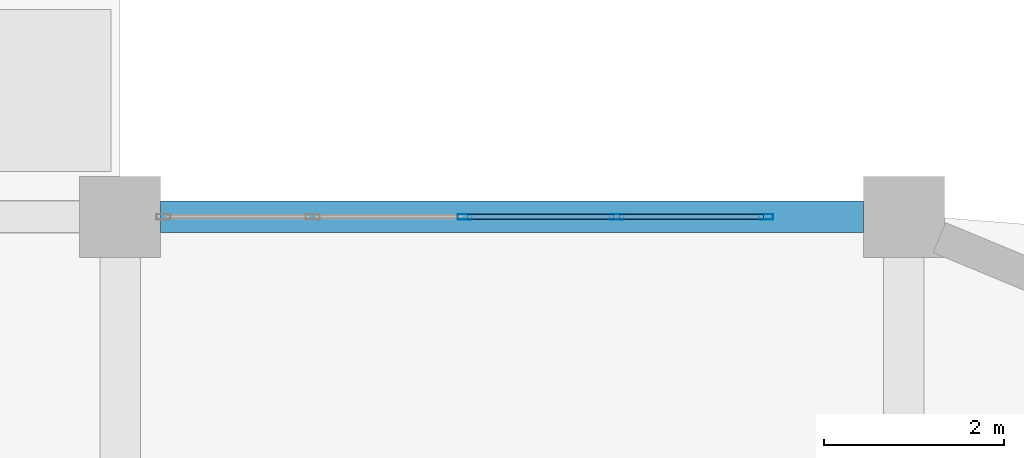
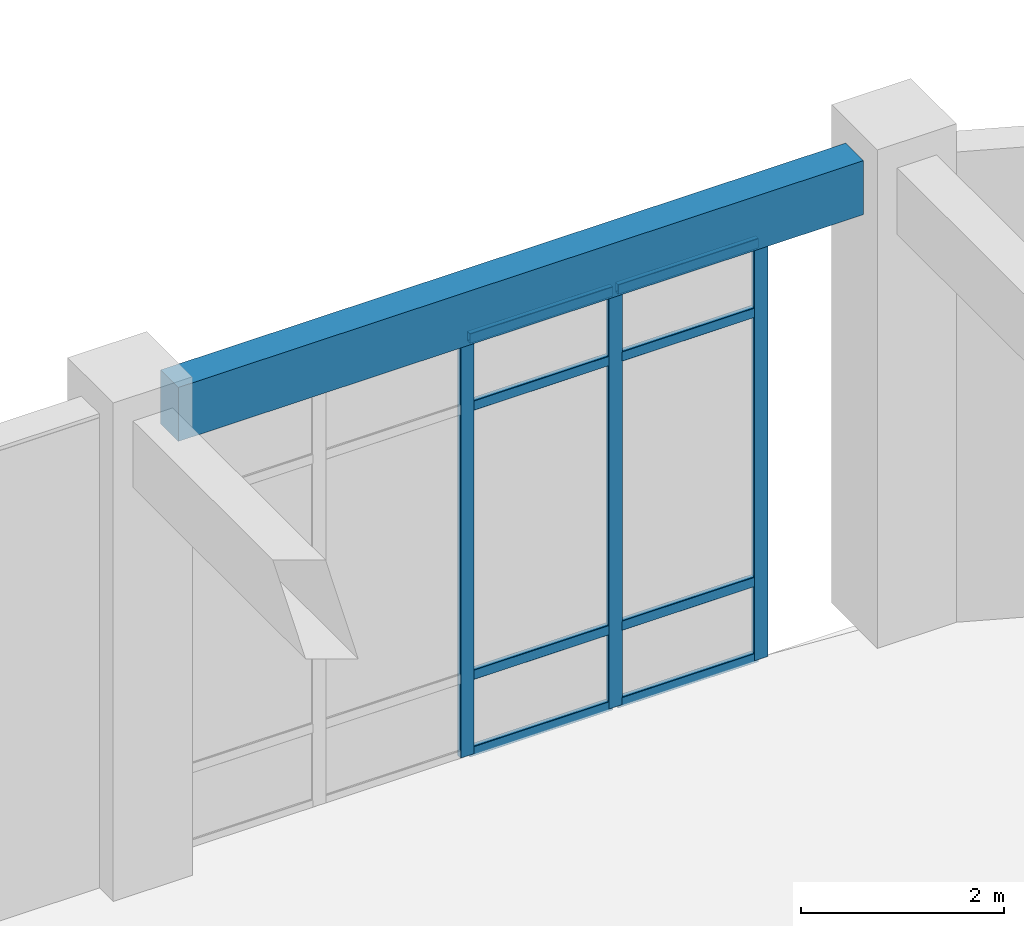
# One storey, part 41 of 82: 11 members, 1 beam, 1 element without a shape of its own.
"""IFC4 building model written with IfcOpenShell, lengths in metres."""

from ifc_helpers import new_model, si_unit, derived_unit, direction, frame, origin, origin_2d, place, context, subcontext, project, spatial, rectangle, hollow_rectangle, extrude, material, layer, layer_set, material_profile, profile_set, type_object, element, aggregate, save


model = new_model("IFC4")

# Units and contexts
model_context = context("Model", 3, precision=1e-05, world=origin(), true_north=direction((0.0, 1.0)))
body_context = subcontext(model_context, "Body", "Model", "MODEL_VIEW")
ifc_project = project(units=[si_unit("LENGTHUNIT", "METRE"), si_unit("AREAUNIT", "SQUARE_METRE"), si_unit("VOLUMEUNIT", "CUBIC_METRE"), si_unit("PLANEANGLEUNIT", "RADIAN"), si_unit("MASSUNIT", "GRAM", prefix="KILO"), derived_unit("THERMALTRANSMITTANCEUNIT", [(si_unit("MASSUNIT", "GRAM", prefix="KILO"), 1), (si_unit("TIMEUNIT", "SECOND"), -3), (si_unit("THERMODYNAMICTEMPERATUREUNIT", "KELVIN"), -1)])], contexts=[model_context])

# Site, building, storey
site_placement = place(None, origin())
site = spatial("IfcSite", under=ifc_project, at=site_placement, CompositionType="ELEMENT")
building_placement = place(site_placement, origin())
building = spatial("IfcBuilding", under=site, at=building_placement, Name="Qinzheling Arcade Emporium", CompositionType="ELEMENT")
storey_placement = place(building_placement, origin())
storey = spatial("IfcBuildingStorey", under=building, at=storey_placement, Name="L01", CompositionType="ELEMENT", Elevation=0.0)

# Curtain wall, members
ifc_material_1 = material(Name="Anodised aluminium and solar-control double glazing", Category="aluminium")
ifc_layer = layer(ifc_material_1, 0.159912109375, Name="Anodised aluminium and solar-control double glazing", Category="aluminium")
ifc_layer_set = layer_set([ifc_layer], Name="Anodised aluminium and solar-control double glazing")
curtain_wall_type = type_object("IfcCurtainWallType", Name="Food Hall Loggia Curtain Wall", PredefinedType="NOTDEFINED", material=ifc_layer_set)
curtain_wall_placement = place(storey_placement, origin())
curtain_wall = element("IfcCurtainWall", 1, at=curtain_wall_placement, inside=storey, type_object=curtain_wall_type, Name="Curtain Wall CW-L01-048", PredefinedType="NOTDEFINED")
ifc_material_2 = material(Name="Anodised aluminium 6063-T6", Category="aluminium")
ifc_material_profile_1 = material_profile(ifc_material_2, hollow_rectangle(XDim=0.06005859375, YDim=0.159912109375, WallThickness=0.00390625, InnerFilletRadius=0.00390625, OuterFilletRadius=0.008056640625, at=origin_2d()), Name="RHS 160x60x4", Category="aluminium")
ifc_profile_set_1 = profile_set([ifc_material_profile_1], Name="Anodised aluminium 6063-T6")
member_type_1 = type_object("IfcMemberType", Name="Curtain Wall Mullion RHS160x60", PredefinedType="MULLION", material=ifc_profile_set_1)
member_1_placement = place(storey_placement, frame((160.426025390625, 33.60009765625, 0.0), z_axis=(0.0, 0.0, 1.0), x_axis=(0.0, 1.0, 0.0)))
member_1 = element("IfcMember", 2, at=member_1_placement, type_object=member_type_1, Name="CW04 mullion 3", PredefinedType="MULLION", context=body_context, shape_type="SweptSolid", body=[
    extrude(hollow_rectangle(XDim=0.06005859375, YDim=0.159912109375, WallThickness=0.00390625, InnerFilletRadius=0.00390625, OuterFilletRadius=0.008056640625, at=origin_2d()), origin(), (0.0, 0.0, 1.0), 5.0400390625),
])
member_2_placement = place(storey_placement, frame((162.113037109375, 33.60009765625, 0.0), z_axis=(0.0, 0.0, 1.0), x_axis=(0.0, 1.0, 0.0)))
member_2 = element("IfcMember", 3, at=member_2_placement, type_object=member_type_1, Name="CW04 mullion 4", PredefinedType="MULLION", context=body_context, shape_type="SweptSolid", body=[
    extrude(hollow_rectangle(XDim=0.06005859375, YDim=0.159912109375, WallThickness=0.00390625, InnerFilletRadius=0.00390625, OuterFilletRadius=0.008056640625, at=origin_2d()), origin(), (0.0, 0.0, 1.0), 5.0400390625),
])
member_3_placement = place(storey_placement, frame((163.77001953125, 33.60009765625, 0.0), z_axis=(0.0, 0.0, 1.0), x_axis=(0.0, 1.0, 0.0)))
member_3 = element("IfcMember", 4, at=member_3_placement, type_object=member_type_1, Name="CW04 mullion 5", PredefinedType="MULLION", context=body_context, shape_type="SweptSolid", body=[
    extrude(hollow_rectangle(XDim=0.06005859375, YDim=0.159912109375, WallThickness=0.00390625, InnerFilletRadius=0.00390625, OuterFilletRadius=0.008056640625, at=origin_2d()), origin(), (0.0, 0.0, 1.0), 5.0400390625),
])
ifc_material_profile_2 = material_profile(ifc_material_2, hollow_rectangle(XDim=0.06005859375, YDim=0.1201171875, WallThickness=0.00390625, InnerFilletRadius=0.00390625, OuterFilletRadius=0.008056640625, at=origin_2d()), Name="RHS 120x60x4", Category="aluminium")
ifc_profile_set_2 = profile_set([ifc_material_profile_2], Name="Anodised aluminium 6063-T6")
member_type_2 = type_object("IfcMemberType", Name="Curtain Wall Transom RHS120x60", PredefinedType="USERDEFINED", material=ifc_profile_set_2)
member_4_placement = place(storey_placement, frame((160.4560546875, 33.60009765625, 0.030029296875), z_axis=(1.0, 0.0, 0.0), x_axis=(0.0, 1.0, 0.0)))
member_4 = element("IfcMember", 5, at=member_4_placement, type_object=member_type_2, Name="CW04 transom 3.1", ObjectType="TRANSOM", PredefinedType="USERDEFINED", context=body_context, shape_type="SweptSolid", body=[
    extrude(hollow_rectangle(XDim=0.06005859375, YDim=0.1201171875, WallThickness=0.00390625, InnerFilletRadius=0.00390625, OuterFilletRadius=0.008056640625, at=origin_2d()), origin(), (0.0, 0.0, 1.0), 1.626953125),
])
member_5_placement = place(storey_placement, frame((160.4560546875, 33.60009765625, 0.949951171875), z_axis=(1.0, 0.0, 0.0), x_axis=(0.0, 1.0, 0.0)))
member_5 = element("IfcMember", 6, at=member_5_placement, type_object=member_type_2, Name="CW04 transom 3.2", ObjectType="TRANSOM", PredefinedType="USERDEFINED", context=body_context, shape_type="SweptSolid", body=[
    extrude(hollow_rectangle(XDim=0.06005859375, YDim=0.1201171875, WallThickness=0.00390625, InnerFilletRadius=0.00390625, OuterFilletRadius=0.008056640625, at=origin_2d()), origin(), (0.0, 0.0, 1.0), 1.626953125),
])
member_6_placement = place(storey_placement, frame((160.4560546875, 33.60009765625, 4.18994140625), z_axis=(1.0, 0.0, 0.0), x_axis=(0.0, 1.0, 0.0)))
member_6 = element("IfcMember", 7, at=member_6_placement, type_object=member_type_2, Name="CW04 transom 3.3", ObjectType="TRANSOM", PredefinedType="USERDEFINED", context=body_context, shape_type="SweptSolid", body=[
    extrude(hollow_rectangle(XDim=0.06005859375, YDim=0.1201171875, WallThickness=0.00390625, InnerFilletRadius=0.00390625, OuterFilletRadius=0.008056640625, at=origin_2d()), origin(), (0.0, 0.0, 1.0), 1.626953125),
])
member_7_placement = place(storey_placement, frame((160.4560546875, 33.60009765625, 5.010009765625), z_axis=(1.0, 0.0, 0.0), x_axis=(0.0, 1.0, 0.0)))
member_7 = element("IfcMember", 8, at=member_7_placement, type_object=member_type_2, Name="CW04 transom 3.4", ObjectType="TRANSOM", PredefinedType="USERDEFINED", context=body_context, shape_type="SweptSolid", body=[
    extrude(hollow_rectangle(XDim=0.06005859375, YDim=0.1201171875, WallThickness=0.00390625, InnerFilletRadius=0.00390625, OuterFilletRadius=0.008056640625, at=origin_2d()), origin(), (0.0, 0.0, 1.0), 1.626953125),
])
member_8_placement = place(storey_placement, frame((162.14306640625, 33.60009765625, 0.030029296875), z_axis=(1.0, 0.0, 0.0), x_axis=(0.0, 1.0, 0.0)))
member_8 = element("IfcMember", 9, at=member_8_placement, type_object=member_type_2, Name="CW04 transom 4.1", ObjectType="TRANSOM", PredefinedType="USERDEFINED", context=body_context, shape_type="SweptSolid", body=[
    extrude(hollow_rectangle(XDim=0.06005859375, YDim=0.1201171875, WallThickness=0.00390625, InnerFilletRadius=0.00390625, OuterFilletRadius=0.008056640625, at=origin_2d()), origin(), (0.0, 0.0, 1.0), 1.596923828125),
])
member_9_placement = place(storey_placement, frame((162.14306640625, 33.60009765625, 0.949951171875), z_axis=(1.0, 0.0, 0.0), x_axis=(0.0, 1.0, 0.0)))
member_9 = element("IfcMember", 10, at=member_9_placement, type_object=member_type_2, Name="CW04 transom 4.2", ObjectType="TRANSOM", PredefinedType="USERDEFINED", context=body_context, shape_type="SweptSolid", body=[
    extrude(hollow_rectangle(XDim=0.06005859375, YDim=0.1201171875, WallThickness=0.00390625, InnerFilletRadius=0.00390625, OuterFilletRadius=0.008056640625, at=origin_2d()), origin(), (0.0, 0.0, 1.0), 1.596923828125),
])
member_10_placement = place(storey_placement, frame((162.14306640625, 33.60009765625, 4.18994140625), z_axis=(1.0, 0.0, 0.0), x_axis=(0.0, 1.0, 0.0)))
member_10 = element("IfcMember", 11, at=member_10_placement, type_object=member_type_2, Name="CW04 transom 4.3", ObjectType="TRANSOM", PredefinedType="USERDEFINED", context=body_context, shape_type="SweptSolid", body=[
    extrude(hollow_rectangle(XDim=0.06005859375, YDim=0.1201171875, WallThickness=0.00390625, InnerFilletRadius=0.00390625, OuterFilletRadius=0.008056640625, at=origin_2d()), origin(), (0.0, 0.0, 1.0), 1.596923828125),
])
member_11_placement = place(storey_placement, frame((162.14306640625, 33.60009765625, 5.010009765625), z_axis=(1.0, 0.0, 0.0), x_axis=(0.0, 1.0, 0.0)))
member_11 = element("IfcMember", 12, at=member_11_placement, type_object=member_type_2, Name="CW04 transom 4.4", ObjectType="TRANSOM", PredefinedType="USERDEFINED", context=body_context, shape_type="SweptSolid", body=[
    extrude(hollow_rectangle(XDim=0.06005859375, YDim=0.1201171875, WallThickness=0.00390625, InnerFilletRadius=0.00390625, OuterFilletRadius=0.008056640625, at=origin_2d()), origin(), (0.0, 0.0, 1.0), 1.596923828125),
])
aggregate(curtain_wall, [member_1, member_2, member_3, member_4, member_5, member_6, member_7, member_8, member_9, member_10, member_11])

# Beam
ifc_material_3 = material(Name="Concrete C40", Category="concrete")
ifc_material_profile_3 = material_profile(ifc_material_3, rectangle(XDim=0.35009765625, YDim=0.64990234375, at=origin_2d()), Name="RC 350x650", Category="concrete")
ifc_profile_set_3 = profile_set([ifc_material_profile_3], Name="Concrete C40")
beam_type = type_object("IfcBeamType", Name="RC Spandrel Edge Beam 350x650 C40", PredefinedType="SPANDREL", material=ifc_profile_set_3)
beam_placement = place(storey_placement, frame((157.050048828125, 33.60009765625, 5.3798828125), z_axis=(1.0, 0.0, 0.0), x_axis=(0.0, 1.0, 0.0)))
element("IfcBeam", 13, at=beam_placement, inside=storey, type_object=beam_type, Name="Beam BM-L01-X-E-19", PredefinedType="SPANDREL", context=body_context, shape_type="SweptSolid", body=[
    extrude(rectangle(XDim=0.35009765625, YDim=0.64990234375, at=origin_2d()), origin(), (0.0, 0.0, 1.0), 7.800048828125),
])

save(model, "model.ifc")
